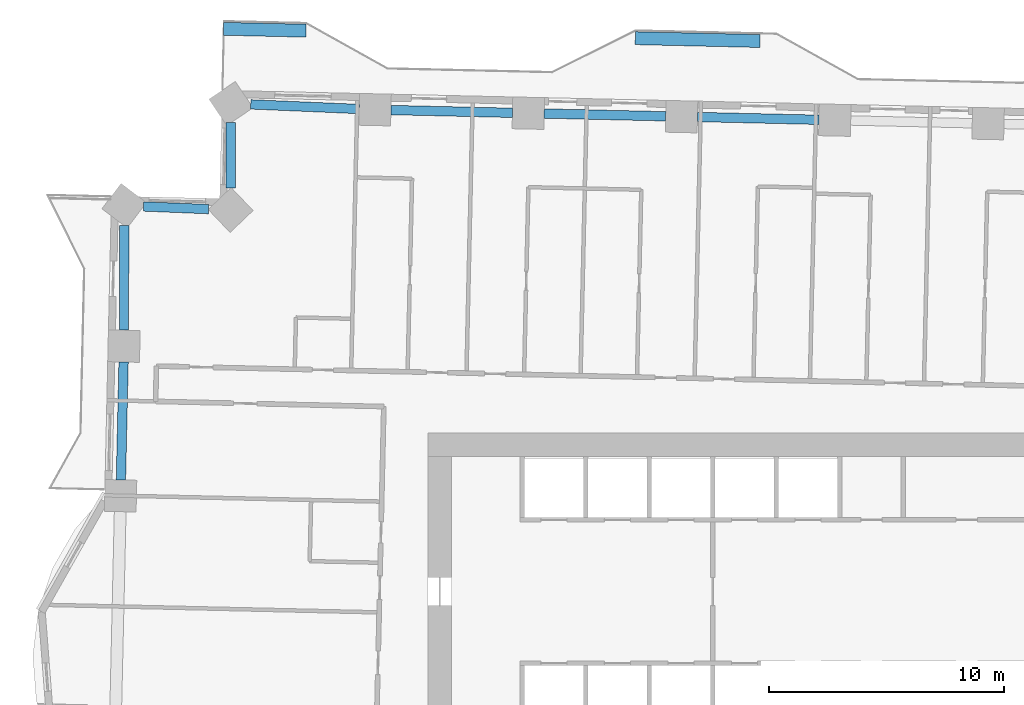
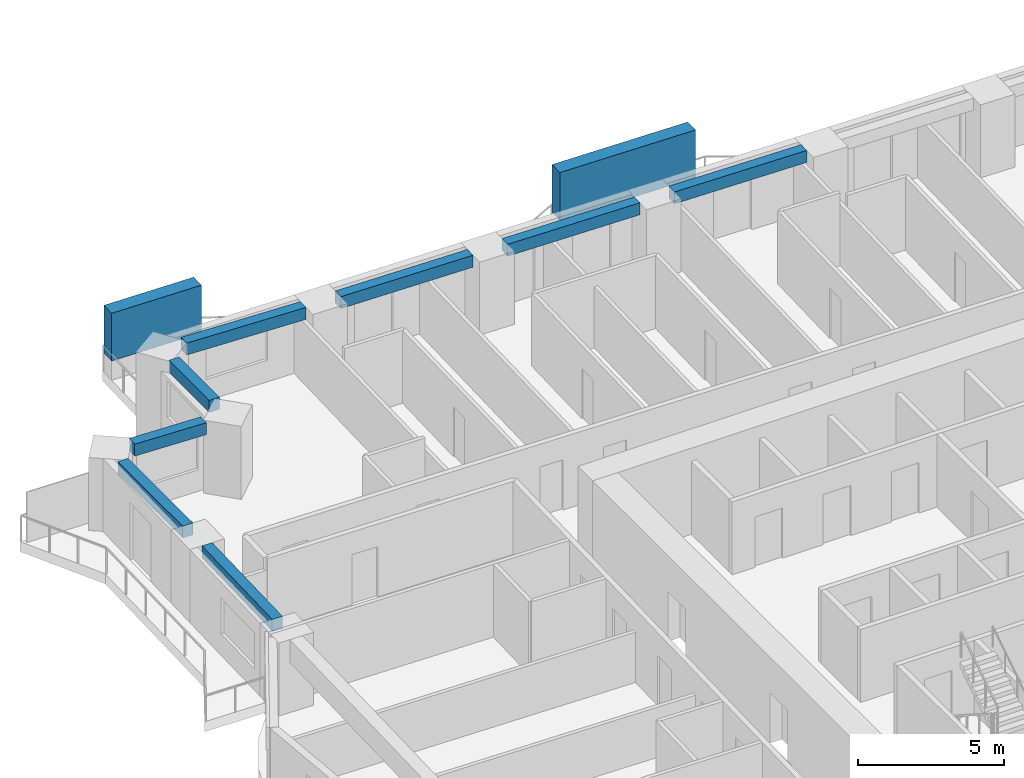
# One storey, part 3 of 16: 8 beams, 2 members.
"""IFC4 building model written with IfcOpenShell, lengths in metres."""

from ifc_helpers import new_model, si_unit, direction, frame, origin, origin_2d, place, context, subcontext, project, spatial, rectangle, extrude, material, material_profile, profile_set, type_object, element, save


model = new_model("IFC4")

# Units and contexts
model_context = context("Model", 3, precision=1e-05, world=origin(), true_north=direction((0.0, 1.0)))
body_context = subcontext(model_context, "Body", "Model", "MODEL_VIEW")
ifc_project = project(units=[si_unit("LENGTHUNIT", "METRE"), si_unit("AREAUNIT", "SQUARE_METRE"), si_unit("VOLUMEUNIT", "CUBIC_METRE"), si_unit("PLANEANGLEUNIT", "RADIAN"), si_unit("MASSUNIT", "GRAM", prefix="KILO")], contexts=[model_context])

# Site, building, storey
site_placement = place(None, origin())
site = spatial("IfcSite", under=ifc_project, at=site_placement, CompositionType="ELEMENT")
building_placement = place(site_placement, origin())
building = spatial("IfcBuilding", under=site, at=building_placement, Name="Mangrove Gate Tower", CompositionType="ELEMENT")
storey_placement = place(building_placement, frame((0.0, 0.0, 112.699951171875)))
storey = spatial("IfcBuildingStorey", under=building, at=storey_placement, Name="L28", CompositionType="ELEMENT", Elevation=112.699951171875)

# Members
ifc_material_1 = material(Name="Planting on aluminium trellis", Category="aluminium")
ifc_material_profile_1 = material_profile(ifc_material_1, rectangle(XDim=0.550048828125, YDim=2.0, at=origin_2d()))
ifc_profile_set_1 = profile_set([ifc_material_profile_1], Name="Planting on aluminium trellis")
member_type = type_object("IfcMemberType", Name="Balcony greenery screen 550x2000", PredefinedType="USERDEFINED", material=ifc_profile_set_1)
member_1_placement = place(storey_placement, frame((-23.489990234375, 28.968994140625, 1.800048828125), z_axis=(0.999738950566, -0.022847991624, 0.0), x_axis=(0.022847991624, 0.999738950566, 0.0)))
element("IfcMember", 1, at=member_1_placement, inside=storey, type_object=member_type, Name="GREEN SCREEN L28 N1.1", ObjectType="PLANTING", PredefinedType="USERDEFINED", context=body_context, shape_type="SweptSolid", body=[
    extrude(rectangle(XDim=0.550048828125, YDim=2.0, at=origin_2d()), origin(), (0.0, 0.0, 1.0), 3.5048828125),
])
member_2_placement = place(storey_placement, frame((-5.989990234375, 28.572021484375, 1.800048828125), z_axis=(0.999738998067, -0.022845913063, 0.0), x_axis=(0.022845913063, 0.999738998067, 0.0)))
element("IfcMember", 2, at=member_2_placement, inside=storey, type_object=member_type, Name="GREEN SCREEN L28 N1.2", ObjectType="PLANTING", PredefinedType="USERDEFINED", context=body_context, shape_type="SweptSolid", body=[
    extrude(rectangle(XDim=0.550048828125, YDim=2.0, at=origin_2d()), origin(), (0.0, 0.0, 1.0), 5.300537109375),
])

# Beams
ifc_material_2 = material(Name="Concrete C50/60", Category="concrete")
ifc_material_profile_2 = material_profile(ifc_material_2, rectangle(XDim=0.39990234375, YDim=0.5, at=origin_2d()))
ifc_profile_set_2 = profile_set([ifc_material_profile_2], Name="Concrete C50/60")
beam_type = type_object("IfcBeamType", Name="Edge beam RC 400x500 C50/60", PredefinedType="BEAM", material=ifc_profile_set_2)
for number, where, z_axis, x_axis, name in (
    (3, (1.81591796875, 25.103515625, 2.800048828125), (-0.999741567077, 0.022733214852, 0.0), (-0.022733214852, -0.999741567077, 0.0), "Edge beam L28 23"),
    (4, (-4.6982421875, 25.25146484375, 2.800048828125), (-0.999741567077, 0.022733214852, 0.0), (-0.022733214852, -0.999741567077, 0.0), "Edge beam L28 24"),
):
    element("IfcBeam", number, at=place(storey_placement, frame(where, z_axis=z_axis, x_axis=x_axis)), inside=storey, type_object=beam_type, Name=name, PredefinedType="BEAM", context=body_context, shape_type="SweptSolid", body=[
        extrude(rectangle(XDim=0.39990234375, YDim=0.5, at=origin_2d()), origin(), (0.0, 0.0, 1.0), 5.16552734375),
    ])
beam_1_placement = place(storey_placement, frame((-11.212158203125, 25.3994140625, 2.800048828125), z_axis=(-0.999741469349, 0.022737512259, 0.0), x_axis=(-0.022737512259, -0.999741469349, 0.0)))
element("IfcBeam", 5, at=beam_1_placement, inside=storey, type_object=beam_type, Name="Edge beam L28 25", PredefinedType="BEAM", context=body_context, shape_type="SweptSolid", body=[
    extrude(rectangle(XDim=0.39990234375, YDim=0.5, at=origin_2d()), origin(), (0.0, 0.0, 1.0), 5.16455078125),
])
beam_2_placement = place(storey_placement, frame((-17.724853515625, 25.56103515625, 2.800048828125), z_axis=(-0.999087933273, 0.042700135693, 0.0), x_axis=(-0.042700135693, -0.999087933273, 0.0)))
element("IfcBeam", 6, at=beam_2_placement, inside=storey, type_object=beam_type, Name="Edge beam L28 26", PredefinedType="BEAM", context=body_context, shape_type="SweptSolid", body=[
    extrude(rectangle(XDim=0.39990234375, YDim=0.5, at=origin_2d()), origin(), (0.0, 0.0, 1.0), 4.614013671875),
])
beam_3_placement = place(storey_placement, frame((-23.175048828125, 24.978515625, 2.800048828125), z_axis=(-0.003432474059, -0.999994109044, 0.0), x_axis=(0.999994109044, -0.003432474059, 0.0)))
element("IfcBeam", 7, at=beam_3_placement, inside=storey, type_object=beam_type, Name="Edge beam L28 27", PredefinedType="BEAM", context=body_context, shape_type="SweptSolid", body=[
    extrude(rectangle(XDim=0.39990234375, YDim=0.5, at=origin_2d()), origin(), (0.0, 0.0, 1.0), 2.77392578125),
])
beam_4_placement = place(storey_placement, frame((-24.124755859375, 21.30615234375, 2.800048828125), z_axis=(-0.999174125775, 0.040633316159, 0.0), x_axis=(-0.040633316159, -0.999174125775, 0.0)))
element("IfcBeam", 8, at=beam_4_placement, inside=storey, type_object=beam_type, Name="Edge beam L28 28", PredefinedType="BEAM", context=body_context, shape_type="SweptSolid", body=[
    extrude(rectangle(XDim=0.39990234375, YDim=0.5, at=origin_2d()), origin(), (0.0, 0.0, 1.0), 2.769775390625),
])
beam_5_placement = place(storey_placement, frame((-27.71533203125, 20.606201171875, 2.800048828125), z_axis=(-0.001317521913, -0.999999132068, 0.0), x_axis=(0.999999132068, -0.001317521913, 0.0)))
element("IfcBeam", 9, at=beam_5_placement, inside=storey, type_object=beam_type, Name="Edge beam L28 29", PredefinedType="BEAM", context=body_context, shape_type="SweptSolid", body=[
    extrude(rectangle(XDim=0.39990234375, YDim=0.5, at=origin_2d()), origin(), (0.0, 0.0, 1.0), 4.447265625),
])
beam_6_placement = place(storey_placement, frame((-27.737548828125, 14.808837890625, 2.800048828125), z_axis=(-0.02259970241, -0.999744594109, 0.0), x_axis=(0.999744594109, -0.02259970241, 0.0)))
element("IfcBeam", 10, at=beam_6_placement, inside=storey, type_object=beam_type, Name="Edge beam L28 30", PredefinedType="BEAM", context=body_context, shape_type="SweptSolid", body=[
    extrude(rectangle(XDim=0.39990234375, YDim=0.5, at=origin_2d()), origin(), (0.0, 0.0, 1.0), 5.012451171875),
])

save(model, "model.ifc")
